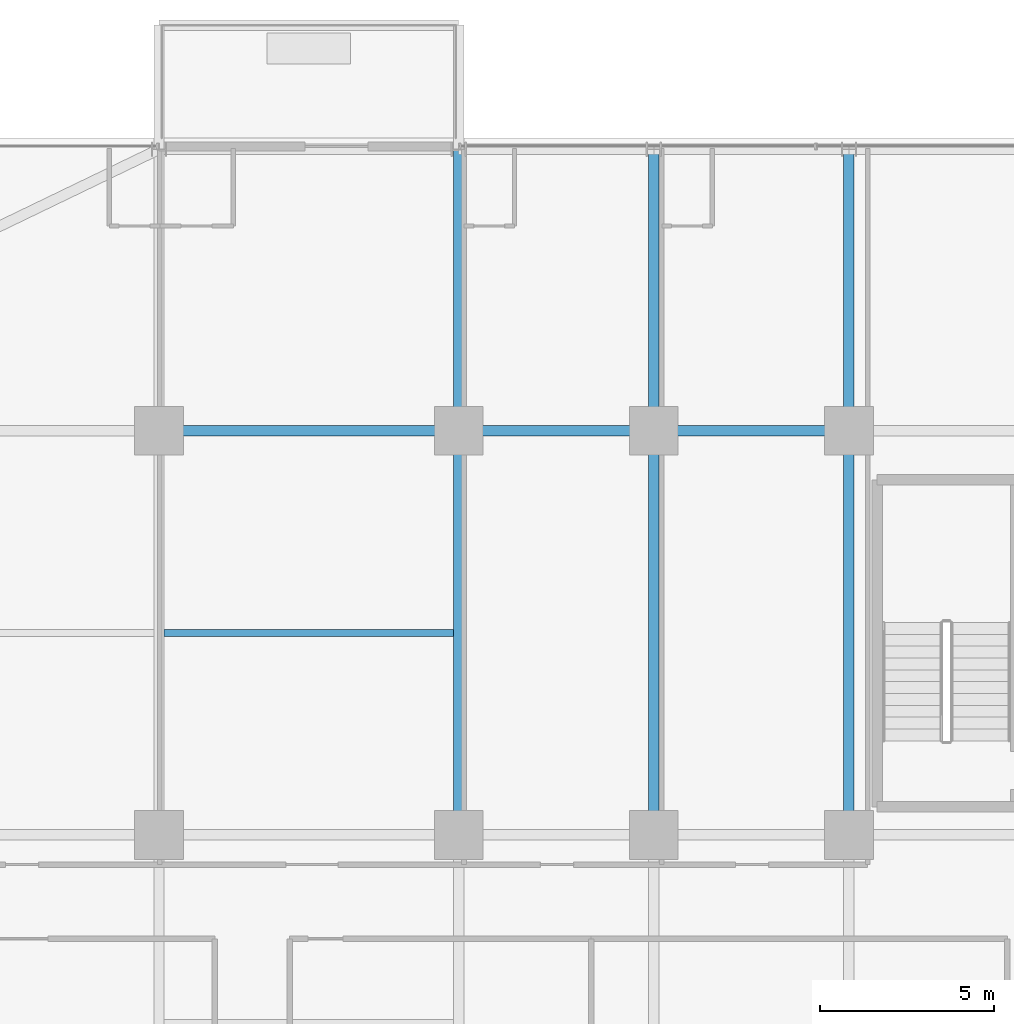
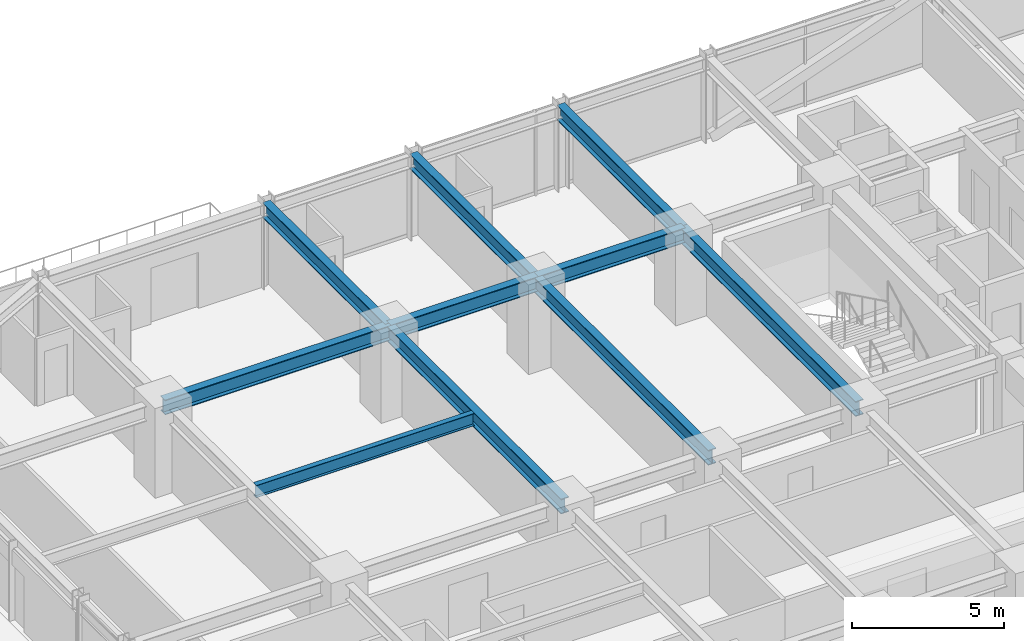
# One storey, part 21 of 39: 10 beams.
"""IFC4 building model written with IfcOpenShell, lengths in metres."""

from ifc_helpers import new_model, si_unit, direction, frame, origin, origin_2d, place, context, subcontext, project, spatial, i_section, extrude, source, transform, mapped, material, material_profile, profile_set, type_object, element, save


model = new_model("IFC4")

# Units and contexts
model_context = context("Model", 3, precision=1e-05, world=origin(), true_north=direction((0.0, 1.0)))
body_context = subcontext(model_context, "Body", "Model", "MODEL_VIEW")
ifc_project = project(units=[si_unit("LENGTHUNIT", "METRE"), si_unit("AREAUNIT", "SQUARE_METRE"), si_unit("VOLUMEUNIT", "CUBIC_METRE"), si_unit("PLANEANGLEUNIT", "RADIAN"), si_unit("MASSUNIT", "GRAM", prefix="KILO")], contexts=[model_context])

# Site, building, storey
site_placement = place(None, origin())
site = spatial("IfcSite", under=ifc_project, at=site_placement, CompositionType="ELEMENT")
building_placement = place(site_placement, origin())
building = spatial("IfcBuilding", under=site, at=building_placement, Name="Nahalor Promenade Grand Hotel", CompositionType="ELEMENT")
storey_placement = place(building_placement, frame((0.0, 0.0, 32.39990234375)))
storey = spatial("IfcBuildingStorey", under=building, at=storey_placement, Name="L06", CompositionType="ELEMENT", Elevation=32.39990234375)

# Beams
ifc_material = material(Name="Steel S355JR", Category="steel")
ifc_material_profile_1 = material_profile(ifc_material, i_section(OverallWidth=0.3, OverallDepth=0.6, WebThickness=0.0155, FlangeThickness=0.03, at=origin_2d()), Name="HEB 600")
ifc_profile_set_1 = profile_set([ifc_material_profile_1], Name="Steel S355JR")
beam_type_1 = type_object("IfcBeamType", Name="Beam-Girder-HEB600", PredefinedType="BEAM", material=ifc_profile_set_1)
shared_shape_1 = source(origin(), body_context, "Body", "SweptSolid", [
    extrude(i_section(OverallWidth=0.3, OverallDepth=0.6, WebThickness=0.0155, FlangeThickness=0.03, at=origin_2d()), origin(), (0.0, 0.0, 1.0), 8.60009765625),
])
beam_1_placement = place(storey_placement, frame((-17.0, 17.0, 3.070068359375), z_axis=(1.0, 0.0, 0.0), x_axis=(0.0, 1.0, 0.0)))
element("IfcBeam", 1, at=beam_1_placement, inside=storey, type_object=beam_type_1, Name="BM-L06-GX-3-1", PredefinedType="BEAM", context=body_context, shape_type="MappedRepresentation", body=[
    mapped(shared_shape_1, transform((0.0, 0.0, 0.0), scale=1.0)),
])
shared_shape_2 = source(origin(), body_context, "Body", "SweptSolid", [
    extrude(i_section(OverallWidth=0.3, OverallDepth=0.6, WebThickness=0.0155, FlangeThickness=0.03, at=origin_2d()), origin(), (0.0, 0.0, 1.0), 5.599853515625),
])
beam_2_placement = place(storey_placement, frame((-8.39990234375, 17.0, 3.070068359375), z_axis=(1.0, 0.0, 0.0), x_axis=(0.0, 1.0, 0.0)))
element("IfcBeam", 2, at=beam_2_placement, inside=storey, type_object=beam_type_1, Name="BM-L06-GX-3-2", PredefinedType="BEAM", context=body_context, shape_type="MappedRepresentation", body=[
    mapped(shared_shape_2, transform((0.0, 0.0, 0.0), scale=1.0)),
])
shared_shape_3 = source(origin(), body_context, "Body", "SweptSolid", [
    extrude(i_section(OverallWidth=0.3, OverallDepth=0.6, WebThickness=0.0155, FlangeThickness=0.03, at=origin_2d()), origin(), (0.0, 0.0, 1.0), 5.60009765625),
])
beam_3_placement = place(storey_placement, frame((-2.800048828125, 17.0, 3.070068359375), z_axis=(1.0, 0.0, 0.0), x_axis=(0.0, 1.0, 0.0)))
element("IfcBeam", 3, at=beam_3_placement, inside=storey, type_object=beam_type_1, Name="BM-L06-GX-3-3", PredefinedType="BEAM", context=body_context, shape_type="MappedRepresentation", body=[
    mapped(shared_shape_3, transform((0.0, 0.0, 0.0), scale=1.0)),
])
shared_shape_4 = source(origin(), body_context, "Body", "SweptSolid", [
    extrude(i_section(OverallWidth=0.3, OverallDepth=0.6, WebThickness=0.0155, FlangeThickness=0.03, at=origin_2d()), origin(), (0.0, 0.0, 1.0), 11.60009765625),
])
for number, where, z_axis, x_axis, name in (
    (4, (-8.39990234375, 5.39990234375, 3.070068359375), (0.0, 1.0, 0.0), (-1.0, 0.0, 0.0), "BM-L06-GY-1-3"),
    (5, (-2.800048828125, 5.39990234375, 3.070068359375), (0.0, 1.0, 0.0), (-1.0, 0.0, 0.0), "BM-L06-GY-2-3"),
    (6, (2.800048828125, 5.39990234375, 3.070068359375), (0.0, 1.0, 0.0), (-1.0, 0.0, 0.0), "BM-L06-GY-3-3"),
):
    element("IfcBeam", number, at=place(storey_placement, frame(where, z_axis=z_axis, x_axis=x_axis)), inside=storey, type_object=beam_type_1, Name=name, PredefinedType="BEAM", context=body_context, shape_type="MappedRepresentation", body=[
        mapped(shared_shape_4, transform((0.0, 0.0, 0.0), scale=1.0)),
    ])
ifc_material_profile_2 = material_profile(ifc_material, i_section(OverallWidth=0.2, OverallDepth=0.5, WebThickness=0.0102, FlangeThickness=0.016, at=origin_2d()), Name="IPE 500")
ifc_profile_set_2 = profile_set([ifc_material_profile_2], Name="Steel S355JR")
beam_type_2 = type_object("IfcBeamType", Name="Beam-Joist-IPE500", PredefinedType="JOIST", material=ifc_profile_set_2)
shared_shape_5 = source(origin(), body_context, "Body", "SweptSolid", [
    extrude(i_section(OverallWidth=0.2, OverallDepth=0.5, WebThickness=0.0102, FlangeThickness=0.016, at=origin_2d()), origin(), (0.0, 0.0, 1.0), 8.300048828125),
])
beam_4_placement = place(storey_placement, frame((-16.85009765625, 11.199951171875, 3.1201171875), z_axis=(1.0, 0.0, 0.0), x_axis=(0.0, 1.0, 0.0)))
element("IfcBeam", 7, at=beam_4_placement, inside=storey, type_object=beam_type_2, Name="BM-L06-JSW-1-1", PredefinedType="JOIST", context=body_context, shape_type="MappedRepresentation", body=[
    mapped(shared_shape_5, transform((0.0, 0.0, 0.0), scale=1.0)),
])
shared_shape_6 = source(origin(), body_context, "Body", "SweptSolid", [
    extrude(i_section(OverallWidth=0.3, OverallDepth=0.6, WebThickness=0.0155, FlangeThickness=0.03, at=origin_2d()), origin(), (0.0, 0.0, 1.0), 8.080078125),
])
for number, where, z_axis, x_axis, name in (
    (8, (-8.39990234375, 17.0, 3.070068359375), (0.0, 1.0, 0.0), (-1.0, 0.0, 0.0), "BM-L06-GY-1-4"),
    (9, (-2.800048828125, 17.0, 3.070068359375), (0.0, 1.0, 0.0), (-1.0, 0.0, 0.0), "BM-L06-GY-2-4"),
    (10, (2.800048828125, 17.0, 3.070068359375), (0.0, 1.0, 0.0), (-1.0, 0.0, 0.0), "BM-L06-GY-3-4"),
):
    element("IfcBeam", number, at=place(storey_placement, frame(where, z_axis=z_axis, x_axis=x_axis)), inside=storey, type_object=beam_type_1, Name=name, PredefinedType="BEAM", context=body_context, shape_type="MappedRepresentation", body=[
        mapped(shared_shape_6, transform((0.0, 0.0, 0.0), scale=1.0)),
    ])

save(model, "model.ifc")
